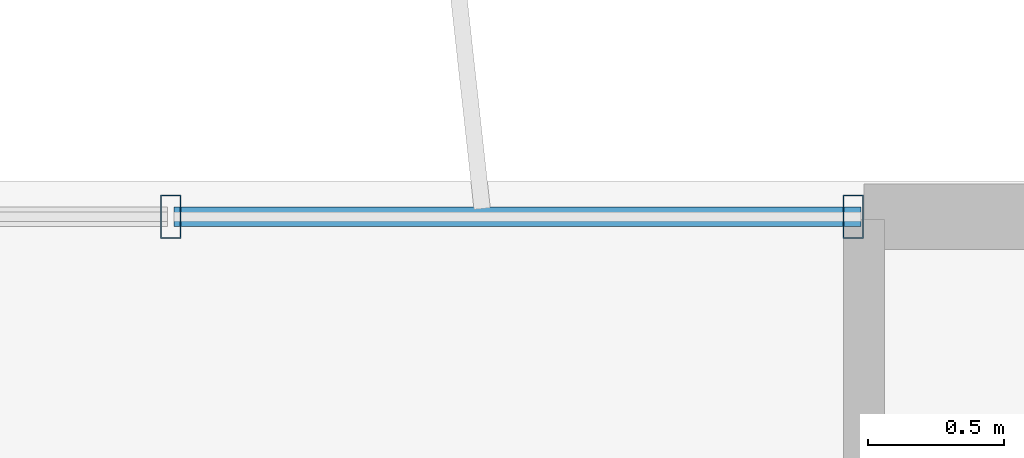
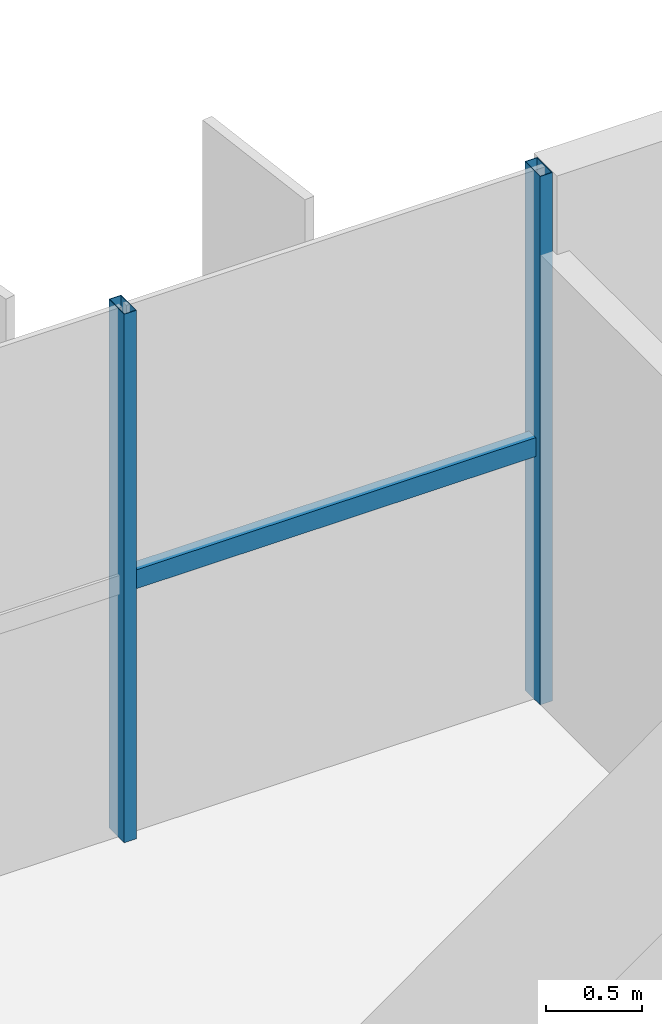
# One storey, part 14 of 23: 3 members, 1 element without a shape of its own.
"""IFC4 building model written with IfcOpenShell, lengths in metres."""

from ifc_helpers import new_model, si_unit, direction, frame, origin, origin_2d, place, context, subcontext, project, spatial, hollow_rectangle, extrude, source, transform, mapped, material, material_profile, profile_set, type_object, element, aggregate, save


model = new_model("IFC4")

# Units and contexts
model_context = context("Model", 3, precision=1e-05, world=origin(), true_north=direction((0.0, 1.0)))
body_context = subcontext(model_context, "Body", "Model", "MODEL_VIEW")
ifc_project = project(units=[si_unit("LENGTHUNIT", "METRE"), si_unit("AREAUNIT", "SQUARE_METRE"), si_unit("VOLUMEUNIT", "CUBIC_METRE"), si_unit("PLANEANGLEUNIT", "RADIAN"), si_unit("MASSUNIT", "GRAM", prefix="KILO")], contexts=[model_context])

# Site, building, storey
site_placement = place(None, origin())
site = spatial("IfcSite", under=ifc_project, at=site_placement, CompositionType="ELEMENT")
building_placement = place(site_placement, origin())
building = spatial("IfcBuilding", under=site, at=building_placement, Name="Trelvane Seafront Commons", CompositionType="ELEMENT")
storey_placement = place(building_placement, frame((0.0, 0.0, 230.10009765625)))
storey = spatial("IfcBuildingStorey", under=building, at=storey_placement, Name="L60", CompositionType="ELEMENT", Elevation=230.10009765625)

# Curtain wall, members
ifc_material = material(Name="Anodised pale-silver aluminium", Category="aluminium")
curtain_wall_type = type_object("IfcCurtainWallType", Name="ARCH-CW5-UPTOWER", PredefinedType="NOTDEFINED", material=ifc_material)
curtain_wall_placement = place(storey_placement, origin())
curtain_wall = element("IfcCurtainWall", 1, at=curtain_wall_placement, inside=storey, type_object=curtain_wall_type, Name="CW-L60-0103", PredefinedType="NOTDEFINED")
ifc_material_profile_1 = material_profile(ifc_material, hollow_rectangle(XDim=0.070068359375, YDim=0.1201171875, WallThickness=0.00390625, at=origin_2d()), Name="TRAN-70x120x4")
ifc_profile_set_1 = profile_set([ifc_material_profile_1], Name="Anodised pale-silver aluminium")
member_type_1 = type_object("IfcMemberType", Name="ARCH-CW-TRAN-120", PredefinedType="USERDEFINED", material=ifc_profile_set_1)
shared_shape_1 = source(origin(), body_context, "Body", "SweptSolid", [
    extrude(hollow_rectangle(XDim=0.070068359375, YDim=0.1201171875, WallThickness=0.00390625, at=origin_2d()), origin(), (0.0, 0.0, 1.0), 2.517333984375),
])
member_1_placement = place(storey_placement, frame((56.270751953125, 48.3701171875, 1.61279296875), z_axis=(1.0, 0.0, 0.0), x_axis=(0.0, 1.0, 0.0)))
member_1 = element("IfcMember", 2, at=member_1_placement, type_object=member_type_1, Name="CW-L60-0103-T16", ObjectType="TRANSOM", PredefinedType="USERDEFINED", context=body_context, shape_type="MappedRepresentation", body=[
    mapped(shared_shape_1, transform((0.0, 0.0, 0.0), x_axis=(1.0, 0.0, 0.0), y_axis=(0.0, 1.0, 0.0), z_axis=(0.0, 0.0, 1.0), scale=1.0)),
])
ifc_material_profile_2 = material_profile(ifc_material, hollow_rectangle(XDim=0.074951171875, YDim=0.159912109375, WallThickness=0.00390625, at=origin_2d()), Name="MULL-75x160x4")
ifc_profile_set_2 = profile_set([ifc_material_profile_2], Name="Anodised pale-silver aluminium")
member_type_2 = type_object("IfcMemberType", Name="ARCH-CW-MULL-160", PredefinedType="MULLION", material=ifc_profile_set_2)
shared_shape_2 = source(origin(), body_context, "Body", "SweptSolid", [
    extrude(hollow_rectangle(XDim=0.074951171875, YDim=0.159912109375, WallThickness=0.00390625, at=origin_2d()), origin(), (0.0, 0.0, 1.0), 3.35986328125),
])
member_2_placement = place(storey_placement, frame((56.2587890625, 48.3701171875, 0.0), z_axis=(0.0, 0.0, 1.0), x_axis=(1.0, 0.0, 0.0)))
member_2 = element("IfcMember", 3, at=member_2_placement, type_object=member_type_2, Name="CW-L60-0103-M16", PredefinedType="MULLION", context=body_context, shape_type="MappedRepresentation", body=[
    mapped(shared_shape_2, transform((0.0, 0.0, 0.0), x_axis=(1.0, 0.0, 0.0), y_axis=(0.0, 1.0, 0.0), z_axis=(0.0, 0.0, 1.0), scale=1.0)),
])
member_3_placement = place(storey_placement, frame((58.760009765625, 48.3701171875, 0.0), z_axis=(0.0, 0.0, 1.0), x_axis=(1.0, 0.0, 0.0)))
member_3 = element("IfcMember", 4, at=member_3_placement, type_object=member_type_2, Name="CW-L60-0103-M17", PredefinedType="MULLION", context=body_context, shape_type="MappedRepresentation", body=[
    mapped(shared_shape_2, transform((0.0, 0.0, 0.0), x_axis=(1.0, 0.0, 0.0), y_axis=(0.0, 1.0, 0.0), z_axis=(0.0, 0.0, 1.0), scale=1.0)),
])
aggregate(curtain_wall, [member_2, member_3, member_1])

save(model, "model.ifc")
